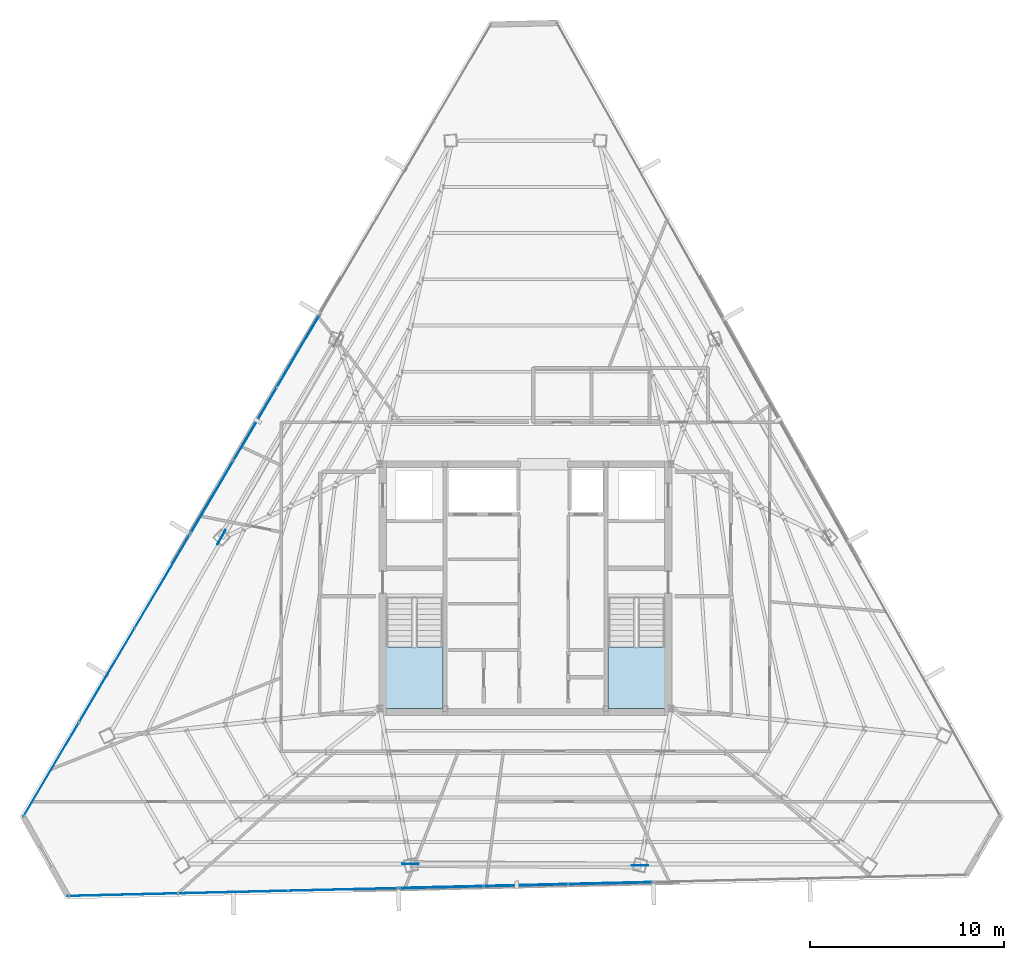
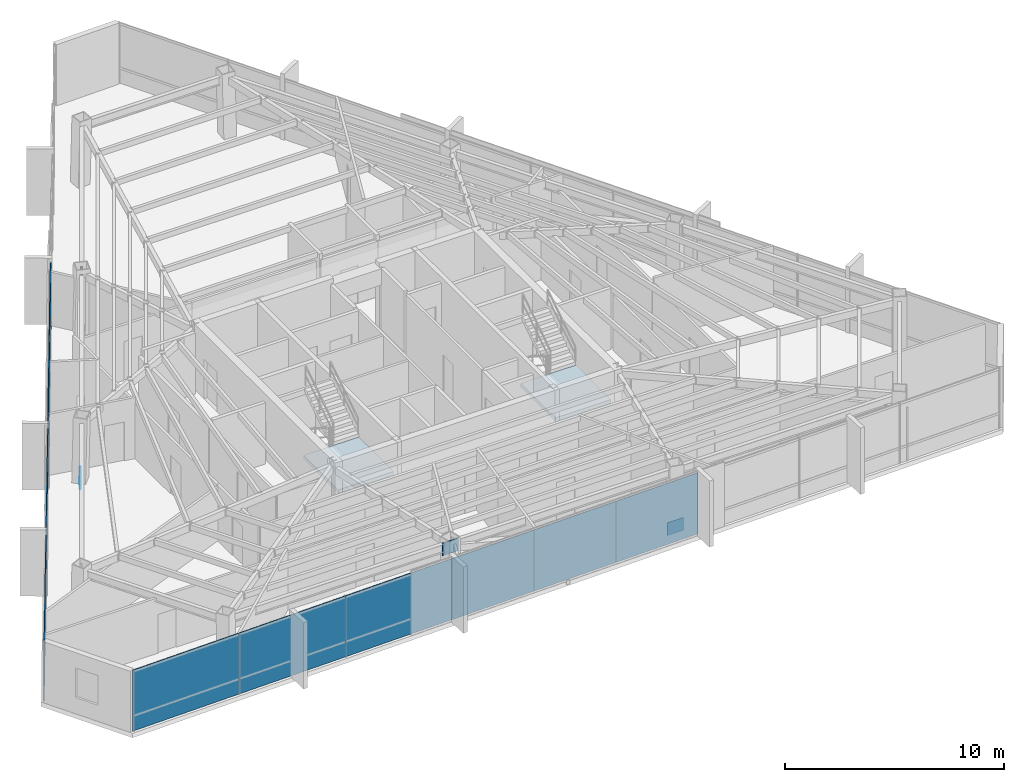
# One storey, part 35 of 47: 15 plates, 2 slabs, 6 elements without a shape of their own.
"""IFC4 building model written with IfcOpenShell, lengths in metres."""

from ifc_helpers import new_model, si_unit, direction, frame, origin, origin_2d, place, context, subcontext, project, spatial, polyline, rectangle, outline, extrude, source, transform, mapped, material, layer, layer_set, type_object, type_shapes, element, aggregate, save


model = new_model("IFC4")

# Units and contexts
model_context = context("Model", 3, precision=1e-05, world=origin(), true_north=direction((0.0, 1.0)))
body_context = subcontext(model_context, "Body", "Model", "MODEL_VIEW")
ifc_project = project(units=[si_unit("LENGTHUNIT", "METRE"), si_unit("AREAUNIT", "SQUARE_METRE"), si_unit("VOLUMEUNIT", "CUBIC_METRE"), si_unit("PLANEANGLEUNIT", "RADIAN"), si_unit("MASSUNIT", "GRAM", prefix="KILO")], contexts=[model_context])

# Site, building, storey
site_placement = place(None, origin())
site = spatial("IfcSite", under=ifc_project, at=site_placement, CompositionType="ELEMENT")
building_placement = place(site_placement, origin())
building = spatial("IfcBuilding", under=site, at=building_placement, Name="Caelisora Broadcast Tower", CompositionType="ELEMENT")
storey_placement = place(building_placement, frame((0.0, 0.0, 255.39990234375)))
storey = spatial("IfcBuildingStorey", under=building, at=storey_placement, Name="L67", CompositionType="ELEMENT", Elevation=255.39990234375)

# Stair, slab
ifc_material_1 = material(Name="Concrete 40 MPa (AS 3600 N40)", Category="concrete")
stair_type_1 = type_object("IfcStairType", Name="ST-1", PredefinedType="HALF_TURN_STAIR", material=ifc_material_1)
stair_1_placement = place(storey_placement, origin())
stair_1 = element("IfcStair", 1, at=stair_1_placement, inside=storey, type_object=stair_type_1, Name="L67 West Fire-Isolated Tower Stair", PredefinedType="HALF_TURN_STAIR")
ifc_layer_1 = layer(ifc_material_1, 0.199951171875, Name="Concrete 40 MPa (AS 3600 N40)")
ifc_layer_set_1 = layer_set([ifc_layer_1], Name="Concrete 40 MPa (AS 3600 N40)")
slab_type = type_object("IfcSlabType", Name="STL-1", PredefinedType="LANDING", material=ifc_layer_set_1)
slab_1_placement = place(storey_placement, frame((0.0, 0.0, 1.625)))
slab_1 = element("IfcSlab", 2, at=slab_1_placement, type_object=slab_type, Name="ST-1 landing 1", PredefinedType="LANDING", context=body_context, shape_type="SweptSolid", body=[
    extrude(outline(polyline([(30.820068359375, 20.580078125), (30.820068359375, 17.39990234375), (33.739990234375, 17.39990234375), (33.739990234375, 20.580078125), (30.820068359375, 20.580078125)])), origin(), (0.0, 0.0, 1.0), 0.2001953125),
])
aggregate(stair_1, [slab_1])

stair_type_2 = type_object("IfcStairType", Name="ST-2", PredefinedType="HALF_TURN_STAIR", material=ifc_material_1)
stair_2_placement = place(storey_placement, origin())
stair_2 = element("IfcStair", 3, at=stair_2_placement, inside=storey, type_object=stair_type_2, Name="L67 East Fire-Isolated Tower Stair", PredefinedType="HALF_TURN_STAIR")
slab_2_placement = place(storey_placement, frame((0.0, 0.0, 1.625)))
slab_2 = element("IfcSlab", 4, at=slab_2_placement, type_object=slab_type, Name="ST-2 landing 1", PredefinedType="LANDING", context=body_context, shape_type="SweptSolid", body=[
    extrude(outline(polyline([(42.260009765625, 20.580078125), (42.260009765625, 17.39990234375), (45.179931640625, 17.39990234375), (45.179931640625, 20.580078125), (42.260009765625, 20.580078125)])), origin(), (0.0, 0.0, 1.0), 0.2001953125),
])
aggregate(stair_2, [slab_2])

# Plates
ifc_material_2 = material(Name="Steel Grade 350 L15 (AS/NZS 3678)", Category="steel")
ifc_layer_2 = layer(ifc_material_2, 0.0400390625, Name="Steel Grade 350 L15 (AS/NZS 3678)")
ifc_layer_set_2 = layer_set([ifc_layer_2], Name="Steel Grade 350 L15 (AS/NZS 3678)")
plate_type_1 = type_object("IfcPlateType", Name="GP04", PredefinedType="USERDEFINED", material=ifc_layer_set_2)
shared_shape_1 = source(origin(), body_context, "Body", "SweptSolid", [
    extrude(rectangle(XDim=0.85009765625, YDim=0.0400390625, at=origin_2d()), origin(), (0.0, 0.0, 1.0), 0.699951171875),
])
type_shapes(plate_type_1, [shared_shape_1])
for number, where, z_axis, x_axis, name in (
    (5, (22.329833984375, 26.234375, -0.22998046875), (0.0, 0.0, 1.0), (-0.5, -0.866025403784, 0.0), "L67 gusset plate GP04 (ND-L67-C03B)"),
    (6, (32.08349609375, 9.384521484375, 2.72998046875), (0.0, 0.0, 1.0), (1.0, 0.0, 0.0), "L67 gusset plate GP04 (ND-L67-C06T)"),
    (7, (43.900146484375, 9.31201171875, -0.22998046875), (0.0, 0.0, 1.0), (1.0, 0.0, 0.0), "L67 gusset plate GP04 (ND-L67-C07B)"),
):
    element("IfcPlate", number, at=place(storey_placement, frame(where, z_axis=z_axis, x_axis=x_axis)), inside=storey, type_object=plate_type_1, Name=name, ObjectType="GUSSET PLATE", PredefinedType="USERDEFINED", context=body_context, shape_type="MappedRepresentation", body=[
        mapped(shared_shape_1, transform((0.0, 0.0, 0.0), scale=1.0)),
    ])

# Curtain wall, plates
ifc_material_3 = material(Name="Unitised Aluminium Insulated Shadow-Box Spandrel Curtain Wall", Category="aluminium")
curtain_wall_type_1 = type_object("IfcCurtainWallType", Name="CW-SP3", PredefinedType="NOTDEFINED", material=ifc_material_3)
curtain_wall_1_placement = place(storey_placement, origin())
curtain_wall_1 = element("IfcCurtainWall", 8, at=curtain_wall_1_placement, inside=storey, type_object=curtain_wall_type_1, Name="L67 curtain wall CW-SP3", PredefinedType="NOTDEFINED")
ifc_material_4 = material(Name="Insulated Terracotta Shadow-Box Spandrel Panel", Category="aluminium")
ifc_layer_3 = layer(ifc_material_4, 0.0439453125, Name="Insulated Terracotta Shadow-Box Spandrel Panel")
ifc_layer_set_3 = layer_set([ifc_layer_3], Name="Insulated Terracotta Shadow-Box Spandrel Panel")
plate_type_2 = type_object("IfcPlateType", Name="CWP-10", PredefinedType="CURTAIN_PANEL", material=ifc_layer_set_3)
shared_shape_2 = source(origin(), body_context, "Body", "SweptSolid", [
    extrude(rectangle(XDim=4.37890625, YDim=0.0439453125, at=origin_2d()), origin(), (0.0, 0.0, 1.0), 3.39990234375),
])
plate_1_placement = place(storey_placement, frame((42.40185546875, 8.398193359375, 0.000244140625), z_axis=(0.0, 0.0, 1.0), x_axis=(-0.999722430218, -0.023559764834, 0.0)))
plate_1 = element("IfcPlate", 9, at=plate_1_placement, type_object=plate_type_2, Name="L67-CW-B06 spandrel panel #1", PredefinedType="CURTAIN_PANEL", context=body_context, shape_type="MappedRepresentation", body=[
    mapped(shared_shape_2, transform((0.0, 0.0, 0.0), scale=1.0)),
])
plate_2_placement = place(storey_placement, frame((38.02392578125, 8.294921875, 0.000244140625), z_axis=(0.0, 0.0, 1.0), x_axis=(-0.999722430218, -0.023559764834, 0.0)))
plate_2 = element("IfcPlate", 10, at=plate_2_placement, type_object=plate_type_2, Name="L67-CW-B06 spandrel panel #2", PredefinedType="CURTAIN_PANEL", context=body_context, shape_type="MappedRepresentation", body=[
    mapped(shared_shape_2, transform((0.0, 0.0, 0.0), scale=1.0)),
])
plate_3_placement = place(storey_placement, frame((33.646240234375, 8.19140625, 0.000244140625), z_axis=(0.0, 0.0, 1.0), x_axis=(-0.999722430218, -0.023559764834, 0.0)))
plate_3 = element("IfcPlate", 11, at=plate_3_placement, type_object=plate_type_2, Name="L67-CW-B06 spandrel panel #3", PredefinedType="CURTAIN_PANEL", context=body_context, shape_type="MappedRepresentation", body=[
    mapped(shared_shape_2, transform((0.0, 0.0, 0.0), scale=1.0)),
])
aggregate(curtain_wall_1, [plate_1, plate_2, plate_3])

ifc_material_5 = material(Name="Unitised Aluminium and Low-E Glass Curtain Wall", Category="glass")
curtain_wall_type_2 = type_object("IfcCurtainWallType", Name="CW-Z5", PredefinedType="NOTDEFINED", material=ifc_material_5)
curtain_wall_2_placement = place(storey_placement, origin())
curtain_wall_2 = element("IfcCurtainWall", 12, at=curtain_wall_2_placement, inside=storey, type_object=curtain_wall_type_2, Name="L67 curtain wall CW-Z5", PredefinedType="NOTDEFINED")
ifc_material_6 = material(Name="Double Glazed Low-E Argon IGU", Category="glass")
ifc_layer_4 = layer(ifc_material_6, 0.028076171875, Name="Double Glazed Low-E Argon IGU")
ifc_layer_set_4 = layer_set([ifc_layer_4], Name="Double Glazed Low-E Argon IGU")
plate_type_3 = type_object("IfcPlateType", Name="CWP-06", PredefinedType="CURTAIN_PANEL", material=ifc_layer_set_4)
shared_shape_3 = source(origin(), body_context, "Body", "SweptSolid", [
    extrude(rectangle(XDim=5.6826171875, YDim=0.028076171875, at=origin_2d()), origin(), (0.0, 0.0, 1.0), 3.39990234375),
])
plate_4_placement = place(storey_placement, frame((28.606689453125, 8.072509765625, 0.000244140625), z_axis=(0.0, 0.0, 1.0), x_axis=(-0.999722430218, -0.023559764834, 0.0)))
plate_4 = element("IfcPlate", 13, at=plate_4_placement, type_object=plate_type_3, Name="L67-CW-B07 glazed panel #1", PredefinedType="CURTAIN_PANEL", context=body_context, shape_type="MappedRepresentation", body=[
    mapped(shared_shape_3, transform((0.0, 0.0, 0.0), scale=1.0)),
])
plate_5_placement = place(storey_placement, frame((22.92578125, 7.938232421875, 0.000244140625), z_axis=(0.0, 0.0, 1.0), x_axis=(-0.999722430218, -0.023559764834, 0.0)))
plate_5 = element("IfcPlate", 14, at=plate_5_placement, type_object=plate_type_3, Name="L67-CW-B07 glazed panel #2", PredefinedType="CURTAIN_PANEL", context=body_context, shape_type="MappedRepresentation", body=[
    mapped(shared_shape_3, transform((0.0, 0.0, 0.0), scale=1.0)),
])
plate_6_placement = place(storey_placement, frame((17.24462890625, 7.80419921875, 0.000244140625), z_axis=(0.0, 0.0, 1.0), x_axis=(-0.999722430218, -0.023559764834, 0.0)))
plate_6 = element("IfcPlate", 15, at=plate_6_placement, type_object=plate_type_3, Name="L67-CW-B07 glazed panel #3", PredefinedType="CURTAIN_PANEL", context=body_context, shape_type="MappedRepresentation", body=[
    mapped(shared_shape_3, transform((0.0, 0.0, 0.0), scale=1.0)),
])
aggregate(curtain_wall_2, [plate_4, plate_5, plate_6])

curtain_wall_3_placement = place(storey_placement, origin())
curtain_wall_3 = element("IfcCurtainWall", 16, at=curtain_wall_3_placement, inside=storey, type_object=curtain_wall_type_2, Name="L67 curtain wall CW-Z5", PredefinedType="NOTDEFINED")
shared_shape_4 = source(origin(), body_context, "Body", "SweptSolid", [
    extrude(rectangle(XDim=5.63916015625, YDim=0.028076171875, at=origin_2d()), origin(), (0.0, 0.0, 1.0), 3.39990234375),
])
type_shapes(plate_type_3, [shared_shape_3, shared_shape_4])
plate_7_placement = place(storey_placement, frame((13.548583984375, 14.2578125, 0.000244140625), z_axis=(0.0, 0.0, 1.0), x_axis=(0.508440380454, 0.861097195167, 0.0)))
plate_7 = element("IfcPlate", 17, at=plate_7_placement, type_object=plate_type_3, Name="L67-CW-B09 glazed panel #1", PredefinedType="CURTAIN_PANEL", context=body_context, shape_type="MappedRepresentation", body=[
    mapped(shared_shape_4, transform((0.0, 0.0, 0.0), scale=1.0)),
])
plate_8_placement = place(storey_placement, frame((16.415771484375, 19.113525390625, 0.000244140625), z_axis=(0.0, 0.0, 1.0), x_axis=(0.508440380454, 0.861097195167, 0.0)))
plate_8 = element("IfcPlate", 18, at=plate_8_placement, type_object=plate_type_3, Name="L67-CW-B09 glazed panel #2", PredefinedType="CURTAIN_PANEL", context=body_context, shape_type="MappedRepresentation", body=[
    mapped(shared_shape_4, transform((0.0, 0.0, 0.0), scale=1.0)),
])
plate_9_placement = place(storey_placement, frame((19.282958984375, 23.969482421875, 0.000244140625), z_axis=(0.0, 0.0, 1.0), x_axis=(0.508440380454, 0.861097195167, 0.0)))
plate_9 = element("IfcPlate", 19, at=plate_9_placement, type_object=plate_type_3, Name="L67-CW-B09 glazed panel #3", PredefinedType="CURTAIN_PANEL", context=body_context, shape_type="MappedRepresentation", body=[
    mapped(shared_shape_4, transform((0.0, 0.0, 0.0), scale=1.0)),
])
aggregate(curtain_wall_3, [plate_7, plate_8, plate_9])

curtain_wall_4_placement = place(storey_placement, origin())
curtain_wall_4 = element("IfcCurtainWall", 20, at=curtain_wall_4_placement, inside=storey, type_object=curtain_wall_type_1, Name="L67 curtain wall CW-SP3", PredefinedType="NOTDEFINED")
shared_shape_5 = source(origin(), body_context, "Body", "SweptSolid", [
    extrude(rectangle(XDim=4.3798828125, YDim=0.0439453125, at=origin_2d()), origin(), (0.0, 0.0, 1.0), 3.39990234375),
])
type_shapes(plate_type_2, [shared_shape_2, shared_shape_5])
plate_10_placement = place(storey_placement, frame((21.8349609375, 28.29150390625, 0.000244140625), z_axis=(0.0, 0.0, 1.0), x_axis=(0.508440380454, 0.861097195167, 0.0)))
plate_10 = element("IfcPlate", 21, at=plate_10_placement, type_object=plate_type_2, Name="L67-CW-B10 spandrel panel #1", PredefinedType="CURTAIN_PANEL", context=body_context, shape_type="MappedRepresentation", body=[
    mapped(shared_shape_5, transform((0.0, 0.0, 0.0), scale=1.0)),
])
plate_11_placement = place(storey_placement, frame((24.06201171875, 32.06298828125, 0.000244140625), z_axis=(0.0, 0.0, 1.0), x_axis=(0.508440380454, 0.861097195167, 0.0)))
plate_11 = element("IfcPlate", 22, at=plate_11_placement, type_object=plate_type_2, Name="L67-CW-B10 spandrel panel #2", PredefinedType="CURTAIN_PANEL", context=body_context, shape_type="MappedRepresentation", body=[
    mapped(shared_shape_5, transform((0.0, 0.0, 0.0), scale=1.0)),
])
plate_12_placement = place(storey_placement, frame((26.288818359375, 35.834716796875, 0.000244140625), z_axis=(0.0, 0.0, 1.0), x_axis=(0.508440380454, 0.861097195167, 0.0)))
plate_12 = element("IfcPlate", 23, at=plate_12_placement, type_object=plate_type_2, Name="L67-CW-B10 spandrel panel #3", PredefinedType="CURTAIN_PANEL", context=body_context, shape_type="MappedRepresentation", body=[
    mapped(shared_shape_5, transform((0.0, 0.0, 0.0), scale=1.0)),
])
aggregate(curtain_wall_4, [plate_10, plate_11, plate_12])

save(model, "model.ifc")
